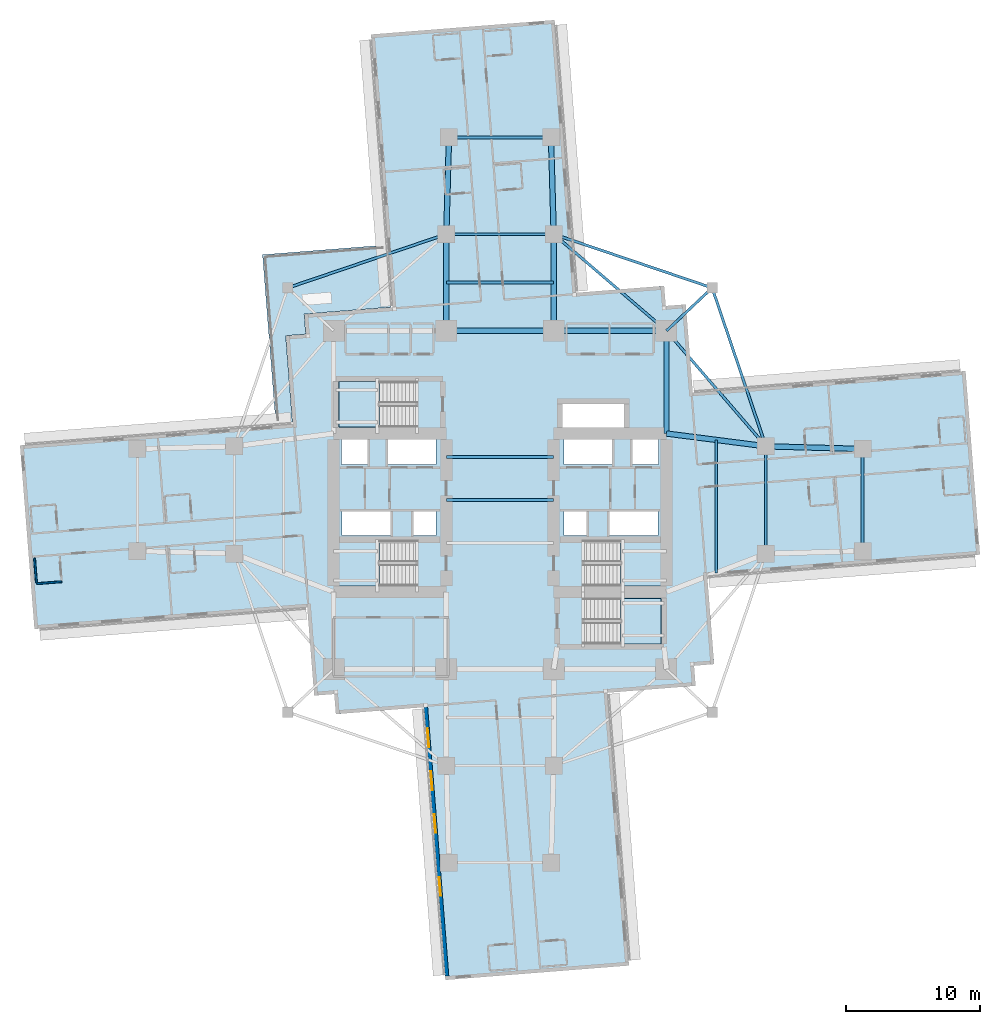
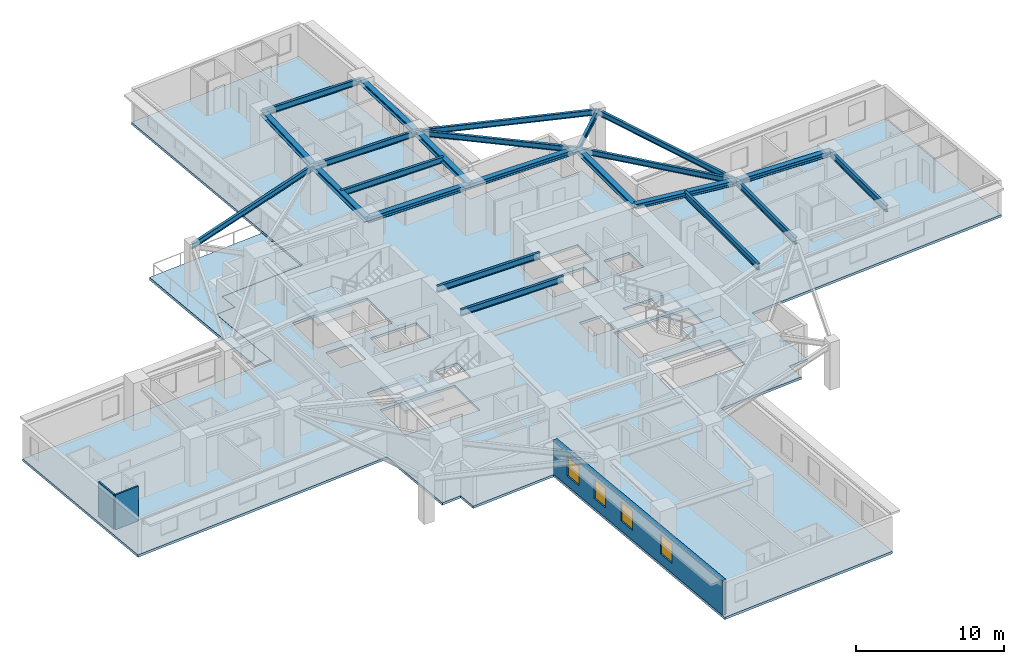
# One storey, part 2 of 13: 23 beams, 6 slabs, 4 windows, 3 walls, 4 openings, 4 elements without a shape of their own.
"""IFC4 building model written with IfcOpenShell, lengths in metres."""

from ifc_helpers import new_model, si_unit, direction, frame, frame_2d, origin, origin_2d, place, context, subcontext, project, spatial, polyline, rectangle, i_section, outline, extrude, material, layer, layer_set, material_profile, profile_set, type_object, element, fill, aggregate, save


model = new_model("IFC4")

# Units and contexts
model_context = context("Model", 3, precision=1e-05, world=origin(), true_north=direction((0.0, 1.0)))
body_context = subcontext(model_context, "Body", "Model", "MODEL_VIEW")
ifc_project = project(units=[si_unit("LENGTHUNIT", "METRE"), si_unit("AREAUNIT", "SQUARE_METRE"), si_unit("VOLUMEUNIT", "CUBIC_METRE"), si_unit("PLANEANGLEUNIT", "RADIAN"), si_unit("MASSUNIT", "GRAM", prefix="KILO")], contexts=[model_context])

# Site, building, storey
site_placement = place(None, origin())
site = spatial("IfcSite", under=ifc_project, at=site_placement, CompositionType="ELEMENT")
building_placement = place(site_placement, origin())
building = spatial("IfcBuilding", under=site, at=building_placement, Name="Qingluan Cross Belvedere", CompositionType="ELEMENT")
storey_placement = place(building_placement, frame((0.0, 0.0, 43.199951171875)))
storey = spatial("IfcBuildingStorey", under=building, at=storey_placement, Name="L11", CompositionType="ELEMENT", Elevation=43.199951171875)

# Beams
ifc_material_1 = material(Name="Steel Q420GJB", Category="steel")
ifc_material_profile_1 = material_profile(ifc_material_1, i_section(OverallWidth=0.199951171875, OverallDepth=0.449951171875, WebThickness=0.009033203125, FlangeThickness=0.013916015625, FilletRadius=0.01611328125, at=origin_2d()), Name="HN450x200x9x14")
ifc_profile_set_1 = profile_set([ifc_material_profile_1], Name="Steel Q420GJB")
beam_type_1 = type_object("IfcBeamType", Name="Steel_Beam_HN450x200x9x14", PredefinedType="JOIST", material=ifc_profile_set_1)
beam_1_placement = place(storey_placement, frame((12.39990234375, 12.60009765625, 3.425048828125), z_axis=(0.728219948308, 0.685343495546, 0.0), x_axis=(-0.685343495546, 0.728219948308, 0.0)))
element("IfcBeam", 1, at=beam_1_placement, inside=storey, type_object=beam_type_1, Name="Corner beam 1 L11-RNE", PredefinedType="JOIST", context=body_context, shape_type="SweptSolid", body=[
    extrude(i_section(OverallWidth=0.199951171875, OverallDepth=0.449951171875, WebThickness=0.009033203125, FlangeThickness=0.013916015625, FilletRadius=0.01611328125, at=origin_2d()), origin(), (0.0, 0.0, 1.0), 4.669189453125),
])
for number, where, z_axis, x_axis, name in (
    (2, (15.800048828125, 15.800048828125, 3.425048828125), (-0.947066283324, 0.321038089628, 0.0), (-0.321038089628, -0.947066283324, 0.0), "Corner beam 2 L11-RNE"),
    (3, (15.800048828125, 15.800048828125, 3.425048828125), (0.321038089628, -0.947066283324, 0.0), (0.947066283324, 0.321038089628, 0.0), "Corner beam 3 L11-RNE"),
):
    element("IfcBeam", number, at=place(storey_placement, frame(where, z_axis=z_axis, x_axis=x_axis)), inside=storey, type_object=beam_type_1, Name=name, PredefinedType="JOIST", context=body_context, shape_type="SweptSolid", body=[
        extrude(i_section(OverallWidth=0.199951171875, OverallDepth=0.449951171875, WebThickness=0.009033203125, FlangeThickness=0.013916015625, FilletRadius=0.01611328125, at=origin_2d()), origin(), (0.0, 0.0, 1.0), 12.45947265625),
    ])
beam_2_placement = place(storey_placement, frame((12.39990234375, 12.60009765625, 3.425048828125), z_axis=(0.652245077546, -0.75800815221, 0.0), x_axis=(0.75800815221, 0.652245077546, 0.0)))
element("IfcBeam", 4, at=beam_2_placement, inside=storey, type_object=beam_type_1, Name="Corner beam 4 L11-RNE", PredefinedType="JOIST", context=body_context, shape_type="SweptSolid", body=[
    extrude(i_section(OverallWidth=0.199951171875, OverallDepth=0.449951171875, WebThickness=0.009033203125, FlangeThickness=0.013916015625, FilletRadius=0.01611328125, at=origin_2d()), origin(), (0.0, 0.0, 1.0), 11.345703125),
])
beam_3_placement = place(storey_placement, frame((12.39990234375, 12.60009765625, 3.425048828125), z_axis=(-0.759255044656, 0.650793190779, 0.0), x_axis=(-0.650793190779, -0.759255044656, 0.0)))
element("IfcBeam", 5, at=beam_3_placement, inside=storey, type_object=beam_type_1, Name="Corner beam 5 L11-RNE", PredefinedType="JOIST", context=body_context, shape_type="SweptSolid", body=[
    extrude(i_section(OverallWidth=0.199951171875, OverallDepth=0.449951171875, WebThickness=0.009033203125, FlangeThickness=0.013916015625, FilletRadius=0.01611328125, at=origin_2d()), origin(), (0.0, 0.0, 1.0), 11.063232421875),
])
beam_4_placement = place(storey_placement, frame((-15.800048828125, 15.800048828125, 3.425048828125), z_axis=(0.947066283324, 0.321038089628, 0.0), x_axis=(-0.321038089628, 0.947066283324, 0.0)))
element("IfcBeam", 6, at=beam_4_placement, inside=storey, type_object=beam_type_1, Name="Corner beam 2 L11-RNW", PredefinedType="JOIST", context=body_context, shape_type="SweptSolid", body=[
    extrude(i_section(OverallWidth=0.199951171875, OverallDepth=0.449951171875, WebThickness=0.009033203125, FlangeThickness=0.013916015625, FilletRadius=0.01611328125, at=origin_2d()), origin(), (0.0, 0.0, 1.0), 12.45947265625),
])
ifc_material_2 = material(Name="Steel Q420GJB", Category="steel")
ifc_material_profile_2 = material_profile(ifc_material_2, i_section(OverallWidth=0.199951171875, OverallDepth=0.5, WebThickness=0.010009765625, FlangeThickness=0.01611328125, FilletRadius=0.01611328125, at=origin_2d()), Name="HN500x200x10x16")
ifc_profile_set_2 = profile_set([ifc_material_profile_2], Name="Steel Q420GJB")
beam_type_2 = type_object("IfcBeamType", Name="Steel_Beam_HN500x200x10x16", PredefinedType="JOIST", material=ifc_profile_set_2)
for number, where, z_axis, x_axis, name in (
    (7, (-4.0, 0.0, 3.400146484375), (1.0, 0.0, 0.0), (0.0, 1.0, 0.0), "Hall beam L11-CH2"),
    (8, (-4.0, 3.199951171875, 3.400146484375), (1.0, 0.0, 0.0), (0.0, 1.0, 0.0), "Hall beam L11-CH3"),
    (9, (19.800048828125, -4.0, 3.400146484375), (0.0, 1.0, 0.0), (-1.0, 0.0, 0.0), "Arm E tie L11"),
):
    element("IfcBeam", number, at=place(storey_placement, frame(where, z_axis=z_axis, x_axis=x_axis)), inside=storey, type_object=beam_type_2, Name=name, PredefinedType="JOIST", context=body_context, shape_type="SweptSolid", body=[
        extrude(i_section(OverallWidth=0.199951171875, OverallDepth=0.5, WebThickness=0.010009765625, FlangeThickness=0.01611328125, FilletRadius=0.01611328125, at=origin_2d()), origin(), (0.0, 0.0, 1.0), 8.0),
    ])
beam_5_placement = place(storey_placement, frame((16.10009765625, -5.425048828125, 3.400146484375), z_axis=(0.0, 1.0, 0.0), x_axis=(-1.0, 0.0, 0.0)))
element("IfcBeam", 10, at=beam_5_placement, inside=storey, type_object=beam_type_2, Name="Arm E beam L11", PredefinedType="JOIST", context=body_context, shape_type="SweptSolid", body=[
    extrude(i_section(OverallWidth=0.199951171875, OverallDepth=0.5, WebThickness=0.010009765625, FlangeThickness=0.01611328125, FilletRadius=0.01611328125, at=origin_2d()), origin(), (0.0, 0.0, 1.0), 9.900146484375),
])
beam_6_placement = place(storey_placement, frame((27.0, -3.800048828125, 3.400146484375), z_axis=(0.0, 1.0, 0.0), x_axis=(-1.0, 0.0, 0.0)))
element("IfcBeam", 11, at=beam_6_placement, inside=storey, type_object=beam_type_2, Name="Arm E tip transverse beam L11", PredefinedType="JOIST", context=body_context, shape_type="SweptSolid", body=[
    extrude(i_section(OverallWidth=0.199951171875, OverallDepth=0.5, WebThickness=0.010009765625, FlangeThickness=0.01611328125, FilletRadius=0.01611328125, at=origin_2d()), origin(), (0.0, 0.0, 1.0), 7.60009765625),
])
for number, where, z_axis, x_axis, name in (
    (12, (-4.0, 19.800048828125, 3.400146484375), (1.0, 0.0, 0.0), (0.0, 1.0, 0.0), "Arm N tie L11"),
    (13, (-4.0, 16.199951171875, 3.400146484375), (1.0, 0.0, 0.0), (0.0, 1.0, 0.0), "Arm N beam L11"),
):
    element("IfcBeam", number, at=place(storey_placement, frame(where, z_axis=z_axis, x_axis=x_axis)), inside=storey, type_object=beam_type_2, Name=name, PredefinedType="JOIST", context=body_context, shape_type="SweptSolid", body=[
        extrude(i_section(OverallWidth=0.199951171875, OverallDepth=0.5, WebThickness=0.010009765625, FlangeThickness=0.01611328125, FilletRadius=0.01611328125, at=origin_2d()), origin(), (0.0, 0.0, 1.0), 8.0),
    ])
beam_7_placement = place(storey_placement, frame((-3.800048828125, 27.0, 3.400146484375), z_axis=(1.0, 0.0, 0.0), x_axis=(0.0, 1.0, 0.0)))
element("IfcBeam", 14, at=beam_7_placement, inside=storey, type_object=beam_type_2, Name="Arm N tip transverse beam L11", PredefinedType="JOIST", context=body_context, shape_type="SweptSolid", body=[
    extrude(i_section(OverallWidth=0.199951171875, OverallDepth=0.5, WebThickness=0.010009765625, FlangeThickness=0.01611328125, FilletRadius=0.01611328125, at=origin_2d()), origin(), (0.0, 0.0, 1.0), 7.60009765625),
])
ifc_material_3 = material(Name="Steel Q420GJB", Category="steel")
ifc_material_profile_3 = material_profile(ifc_material_3, i_section(OverallWidth=0.39990234375, OverallDepth=0.39990234375, WebThickness=0.012939453125, FlangeThickness=0.02099609375, FilletRadius=0.02197265625, at=origin_2d()), Name="HW400x400x13x21")
ifc_profile_set_3 = profile_set([ifc_material_profile_3], Name="Steel Q420GJB")
beam_type_3 = type_object("IfcBeamType", Name="Steel_Girder_HW400x400x13x21", PredefinedType="USERDEFINED", material=ifc_profile_set_3)
beam_8_placement = place(storey_placement, frame((-4.0, 12.60009765625, 3.449951171875), z_axis=(1.0, 0.0, 0.0), x_axis=(0.0, 1.0, 0.0)))
element("IfcBeam", 15, at=beam_8_placement, inside=storey, type_object=beam_type_3, Name="Hub girder L11-HG-N2", ObjectType="GIRDER", PredefinedType="USERDEFINED", context=body_context, shape_type="SweptSolid", body=[
    extrude(i_section(OverallWidth=0.39990234375, OverallDepth=0.39990234375, WebThickness=0.012939453125, FlangeThickness=0.02099609375, FilletRadius=0.02197265625, at=origin_2d()), origin(), (0.0, 0.0, 1.0), 8.0),
])
beam_9_placement = place(storey_placement, frame((4.0, 12.60009765625, 3.449951171875), z_axis=(1.0, 0.0, 0.0), x_axis=(0.0, 1.0, 0.0)))
element("IfcBeam", 16, at=beam_9_placement, inside=storey, type_object=beam_type_3, Name="Hub girder L11-HG-N3", ObjectType="GIRDER", PredefinedType="USERDEFINED", context=body_context, shape_type="SweptSolid", body=[
    extrude(i_section(OverallWidth=0.39990234375, OverallDepth=0.39990234375, WebThickness=0.012939453125, FlangeThickness=0.02099609375, FilletRadius=0.02197265625, at=origin_2d()), origin(), (0.0, 0.0, 1.0), 8.39990234375),
])
beam_10_placement = place(storey_placement, frame((12.39990234375, 4.949951171875, 3.449951171875), z_axis=(0.0, 1.0, 0.0), x_axis=(-1.0, 0.0, 0.0)))
element("IfcBeam", 17, at=beam_10_placement, inside=storey, type_object=beam_type_3, Name="Hub girder L11-HG-E2", ObjectType="GIRDER", PredefinedType="USERDEFINED", context=body_context, shape_type="SweptSolid", body=[
    extrude(i_section(OverallWidth=0.39990234375, OverallDepth=0.39990234375, WebThickness=0.012939453125, FlangeThickness=0.02099609375, FilletRadius=0.02197265625, at=origin_2d()), origin(), (0.0, 0.0, 1.0), 7.650146484375),
])
beam_11_placement = place(storey_placement, frame((12.39990234375, 4.949951171875, 3.449951171875), z_axis=(0.991861120628, -0.12732445714, 0.0), x_axis=(0.12732445714, 0.991861120628, 0.0)))
element("IfcBeam", 18, at=beam_11_placement, inside=storey, type_object=beam_type_3, Name="Arm E radial girder B L11", ObjectType="GIRDER", PredefinedType="USERDEFINED", context=body_context, shape_type="SweptSolid", body=[
    extrude(i_section(OverallWidth=0.39990234375, OverallDepth=0.39990234375, WebThickness=0.012939453125, FlangeThickness=0.02099609375, FilletRadius=0.02197265625, at=origin_2d()), origin(), (0.0, 0.0, 1.0), 7.4609375),
])
beam_12_placement = place(storey_placement, frame((19.800048828125, 4.0, 3.449951171875), z_axis=(0.999614603568, -0.027760481514, 0.0), x_axis=(0.027760481514, 0.999614603568, 0.0)))
element("IfcBeam", 19, at=beam_12_placement, inside=storey, type_object=beam_type_3, Name="Arm E outer radial girder B L11", ObjectType="GIRDER", PredefinedType="USERDEFINED", context=body_context, shape_type="SweptSolid", body=[
    extrude(i_section(OverallWidth=0.39990234375, OverallDepth=0.39990234375, WebThickness=0.012939453125, FlangeThickness=0.02099609375, FilletRadius=0.02197265625, at=origin_2d()), origin(), (0.0, 0.0, 1.0), 7.20263671875),
])
for number, where, z_axis, x_axis, name in (
    (20, (-4.0, 12.60009765625, 3.449951171875), (0.0, 1.0, 0.0), (-1.0, 0.0, 0.0), "Arm N radial girder A L11"),
    (21, (4.0, 12.60009765625, 3.449951171875), (0.0, 1.0, 0.0), (-1.0, 0.0, 0.0), "Arm N radial girder B L11"),
):
    element("IfcBeam", number, at=place(storey_placement, frame(where, z_axis=z_axis, x_axis=x_axis)), inside=storey, type_object=beam_type_3, Name=name, ObjectType="GIRDER", PredefinedType="USERDEFINED", context=body_context, shape_type="SweptSolid", body=[
        extrude(i_section(OverallWidth=0.39990234375, OverallDepth=0.39990234375, WebThickness=0.012939453125, FlangeThickness=0.02099609375, FilletRadius=0.02197265625, at=origin_2d()), origin(), (0.0, 0.0, 1.0), 7.199951171875),
    ])
for number, where, z_axis, x_axis, name in (
    (22, (-4.0, 19.800048828125, 3.449951171875), (0.027760481514, 0.999614603568, 0.0), (-0.999614603568, 0.027760481514, 0.0), "Arm N outer radial girder A L11"),
    (23, (4.0, 19.800048828125, 3.449951171875), (-0.027760481514, 0.999614603568, 0.0), (-0.999614603568, -0.027760481514, 0.0), "Arm N outer radial girder B L11"),
):
    element("IfcBeam", number, at=place(storey_placement, frame(where, z_axis=z_axis, x_axis=x_axis)), inside=storey, type_object=beam_type_3, Name=name, ObjectType="GIRDER", PredefinedType="USERDEFINED", context=body_context, shape_type="SweptSolid", body=[
        extrude(i_section(OverallWidth=0.39990234375, OverallDepth=0.39990234375, WebThickness=0.012939453125, FlangeThickness=0.02099609375, FilletRadius=0.02197265625, at=origin_2d()), origin(), (0.0, 0.0, 1.0), 7.20263671875),
    ])

# Slab
ifc_material_4 = material(Name="Concrete C40", Category="concrete")
ifc_layer_1 = layer(ifc_material_4, 0.199951171875, Name="FloorSlab_200")
ifc_layer_set_1 = layer_set([ifc_layer_1], Name="Concrete C40")
slab_type_1 = type_object("IfcSlabType", Name="FloorSlab_200", PredefinedType="FLOOR", material=ifc_layer_set_1)
slab_1_placement = place(storey_placement, frame((0.0, 0.0, -0.199951171875)))
element("IfcSlab", 24, at=slab_1_placement, inside=storey, type_object=slab_type_1, Name="Structural floor slab L11", PredefinedType="FLOOR", context=body_context, shape_type="SweptSolid", body=[
    extrude(outline(polyline([(9.610107421875, -34.6728515625), (8.010986328125, -14.355712890625), (14.57080078125, -13.839599609375), (14.453125, -12.343994140625), (15.948486328125, -12.226318359375), (15.43212890625, -5.666748046875), (35.749267578125, -4.067626953125), (34.6728515625, 9.610107421875), (14.355712890625, 8.010986328125), (13.839599609375, 14.57080078125), (12.343994140625, 14.453125), (12.226318359375, 15.948486328125), (5.666748046875, 15.43212890625), (4.067626953125, 35.749267578125), (-9.610107421875, 34.6728515625), (-8.010986328125, 14.355712890625), (-14.57080078125, 13.839599609375), (-14.453125, 12.343994140625), (-15.948486328125, 12.226318359375), (-15.43212890625, 5.666748046875), (-35.749267578125, 4.067626953125), (-34.6728515625, -9.610107421875), (-14.355712890625, -8.010986328125), (-13.839599609375, -14.57080078125), (-12.343994140625, -14.453125), (-12.226318359375, -15.948486328125), (-5.666748046875, -15.43212890625), (-4.067626953125, -35.749267578125), (9.610107421875, -34.6728515625)]), holes=[polyline([(-12.0, -3.0), (-6.179931640625, -3.0), (-6.179931640625, -6.39990234375), (-12.0, -6.39990234375), (-12.0, -3.0)]), polyline([(6.179931640625, -3.0), (12.0, -3.0), (12.0, -6.39990234375), (6.179931640625, -6.39990234375), (6.179931640625, -3.0)]), polyline([(-12.0, 8.820068359375), (-6.179931640625, 8.820068359375), (-6.179931640625, 5.419921875), (-12.0, 5.419921875), (-12.0, 8.820068359375)]), polyline([(6.179931640625, -7.320068359375), (12.0, -7.320068359375), (12.0, -10.719970703125), (6.179931640625, -10.719970703125), (6.179931640625, -7.320068359375)]), polyline([(-11.800048828125, 4.64990234375), (-9.85009765625, 4.64990234375), (-9.85009765625, 2.64990234375), (-11.800048828125, 2.64990234375), (-11.800048828125, 4.64990234375)]), polyline([(-8.35009765625, 4.64990234375), (-4.75, 4.64990234375), (-4.75, 2.64990234375), (-8.35009765625, 2.64990234375), (-8.35009765625, 4.64990234375)]), polyline([(4.75, 4.64990234375), (8.35009765625, 4.64990234375), (8.35009765625, 2.64990234375), (4.75, 2.64990234375), (4.75, 4.64990234375)]), polyline([(9.85009765625, 4.64990234375), (11.800048828125, 4.64990234375), (11.800048828125, 2.64990234375), (9.85009765625, 2.64990234375), (9.85009765625, 4.64990234375)]), polyline([(-11.75, -0.840087890625), (-8.14990234375, -0.840087890625), (-8.14990234375, -2.659912109375), (-11.75, -2.659912109375), (-11.75, -0.840087890625)]), polyline([(-6.449951171875, -0.840087890625), (-4.75, -0.840087890625), (-4.75, -2.659912109375), (-6.449951171875, -2.659912109375), (-6.449951171875, -0.840087890625)]), polyline([(4.75, -0.840087890625), (6.449951171875, -0.840087890625), (6.449951171875, -2.659912109375), (4.75, -2.659912109375), (4.75, -0.840087890625)]), polyline([(8.14990234375, -0.840087890625), (11.75, -0.840087890625), (11.75, -2.659912109375), (8.14990234375, -2.659912109375), (8.14990234375, -0.840087890625)]), polyline([(4.64990234375, 7.14990234375), (9.25, 7.14990234375), (9.25, 5.14990234375), (4.64990234375, 5.14990234375), (4.64990234375, 7.14990234375)])]), origin(), (0.0, 0.0, 1.0), 0.199951171875),
])

# Stair, slab
ifc_material_5 = material(Name="Concrete C40", Category="concrete")
stair_type = type_object("IfcStairType", Name="CoreDoglegStair_1620", PredefinedType="HALF_TURN_STAIR", material=ifc_material_5)
stair_1_placement = place(storey_placement, origin())
stair_1 = element("IfcStair", 25, at=stair_1_placement, inside=storey, type_object=stair_type, Name="L11 ST1", PredefinedType="HALF_TURN_STAIR")
ifc_material_6 = material(Name="Concrete C40", Category="concrete")
ifc_layer_2 = layer(ifc_material_6, 0.179931640625, Name="StairLandingSlab_180")
ifc_layer_set_2 = layer_set([ifc_layer_2], Name="Concrete C40")
slab_type_2 = type_object("IfcSlabType", Name="StairLandingSlab_180", PredefinedType="LANDING", material=ifc_layer_set_2)
slab_2_placement = place(storey_placement, frame((0.0, 0.0, 1.75)))
slab_2 = element("IfcSlab", 26, at=slab_2_placement, type_object=slab_type_2, Name="ST1 landing 1", PredefinedType="LANDING", context=body_context, shape_type="SweptSolid", body=[
    extrude(outline(polyline([(-8.97998046875, -3.0), (-12.0, -3.0), (-12.0, -6.39990234375), (-8.97998046875, -6.39990234375), (-8.97998046875, -3.0)])), origin(), (0.0, 0.0, 1.0), 0.199951171875),
])
aggregate(stair_1, [slab_2])

stair_2_placement = place(storey_placement, origin())
stair_2 = element("IfcStair", 27, at=stair_2_placement, inside=storey, type_object=stair_type, Name="L11 ST2", PredefinedType="HALF_TURN_STAIR")
slab_3_placement = place(storey_placement, frame((0.0, 0.0, 1.75)))
slab_3 = element("IfcSlab", 28, at=slab_3_placement, type_object=slab_type_2, Name="ST2 landing 1", PredefinedType="LANDING", context=body_context, shape_type="SweptSolid", body=[
    extrude(outline(polyline([(8.97998046875, -6.39990234375), (12.0, -6.39990234375), (12.0, -3.0), (8.97998046875, -3.0), (8.97998046875, -6.39990234375)])), origin(), (0.0, 0.0, 1.0), 0.199951171875),
])
aggregate(stair_2, [slab_3])

stair_3_placement = place(storey_placement, origin())
stair_3 = element("IfcStair", 29, at=stair_3_placement, inside=storey, type_object=stair_type, Name="L11 ST3", PredefinedType="HALF_TURN_STAIR")
slab_4_placement = place(storey_placement, frame((0.0, 0.0, 1.75)))
slab_4 = element("IfcSlab", 30, at=slab_4_placement, type_object=slab_type_2, Name="ST3 landing 1", PredefinedType="LANDING", context=body_context, shape_type="SweptSolid", body=[
    extrude(outline(polyline([(-8.97998046875, 8.820068359375), (-12.0, 8.820068359375), (-12.0, 5.419921875), (-8.97998046875, 5.419921875), (-8.97998046875, 8.820068359375)])), origin(), (0.0, 0.0, 1.0), 0.199951171875),
])
aggregate(stair_3, [slab_4])

stair_4_placement = place(storey_placement, origin())
stair_4 = element("IfcStair", 31, at=stair_4_placement, inside=storey, type_object=stair_type, Name="L11 ST4", PredefinedType="HALF_TURN_STAIR")
slab_5_placement = place(storey_placement, frame((0.0, 0.0, 1.75)))
slab_5 = element("IfcSlab", 32, at=slab_5_placement, type_object=slab_type_2, Name="ST4 landing 1", PredefinedType="LANDING", context=body_context, shape_type="SweptSolid", body=[
    extrude(outline(polyline([(8.97998046875, -10.719970703125), (12.0, -10.719970703125), (12.0, -7.320068359375), (8.97998046875, -7.320068359375), (8.97998046875, -10.719970703125)])), origin(), (0.0, 0.0, 1.0), 0.199951171875),
])
aggregate(stair_4, [slab_5])

# Slab
ifc_material_7 = material(Name="Concrete C40", Category="concrete")
ifc_layer_3 = layer(ifc_material_7, 0.219970703125, Name="TerraceSlab_220")
ifc_layer_set_3 = layer_set([ifc_layer_3], Name="Concrete C40")
slab_type_3 = type_object("IfcSlabType", Name="TerraceSlab_220", PredefinedType="FLOOR", material=ifc_layer_set_3)
slab_6_placement = place(storey_placement, frame((0.0, 0.0, -0.219970703125)))
element("IfcSlab", 33, at=slab_6_placement, inside=storey, type_object=slab_type_3, Name="Spiralling winter-garden terrace slab L11", PredefinedType="FLOOR", context=body_context, shape_type="SweptSolid", body=[
    extrude(outline(polyline([(-15.453125, 5.805419921875), (-15.957275390625, 12.231201171875), (-14.4638671875, 12.353271484375), (-14.580810546875, 13.838623046875), (-14.573486328125, 13.84912109375), (-8.1513671875, 14.354736328125), (-8.51611328125, 18.990478515625), (-17.68798828125, 18.2685546875), (-16.69921875, 5.70751953125), (-15.453125, 5.805419921875)])), origin(), (0.0, 0.0, 1.0), 0.219970703125),
])

# Walls
ifc_material_8 = material(Name="Moisture-resistant gypsum board lining")
ifc_layer_4 = layer(ifc_material_8, 0.1201171875, Name="EnsuiteWetPartition_120")
ifc_layer_set_4 = layer_set([ifc_layer_4], Name="Moisture-resistant gypsum board lining")
wall_type_1 = type_object("IfcWallType", Name="EnsuiteWetPartition_120", PredefinedType="PARTITIONING", material=ifc_layer_set_4)
wall_1_placement = place(storey_placement, frame((-34.5224609375, -6.16748046875, 0.0), z_axis=(0.0, 0.0, 1.0), x_axis=(-0.078481444107, 0.996915574626, 0.0)))
element("IfcWall", 34, at=wall_1_placement, inside=storey, type_object=wall_type_1, Name="Partition L11:W:bw1_1", PredefinedType="PARTITIONING", context=body_context, shape_type="SweptSolid", body=[
    extrude(rectangle(XDim=1.81982421875, YDim=0.1201171875, at=frame_2d((0.909912109375, 0.0))), origin(), (0.0, 0.0, 1.0), 2.85009765625),
])
wall_2_placement = place(storey_placement, frame((-32.643310546875, -6.0849609375, 0.0), z_axis=(0.0, 0.0, 1.0), x_axis=(-0.99691849475, -0.078444342213, 0.0)))
element("IfcWall", 35, at=wall_2_placement, inside=storey, type_object=wall_type_1, Name="Partition L11:W:bc1_1", PredefinedType="PARTITIONING", context=body_context, shape_type="SweptSolid", body=[
    extrude(rectangle(XDim=1.8798828125, YDim=0.1201171875, at=frame_2d((0.93994140625, 0.0))), origin(), (0.0, 0.0, 1.0), 2.85009765625),
])

# Wall, openings, windows
ifc_material_9 = material(Name="Precast concrete C45", Category="concrete")
ifc_layer_5 = layer(ifc_material_9, 0.280029296875, Name="PrecastFacadeWall_280")
ifc_layer_set_5 = layer_set([ifc_layer_5], Name="Precast concrete C45")
wall_type_2 = type_object("IfcWallType", Name="PrecastFacadeWall_280", PredefinedType="STANDARD", material=ifc_layer_set_5)
wall_3_placement = place(storey_placement, frame((-5.527099609375, -15.421142578125, 0.0), z_axis=(0.0, 0.0, 1.0), x_axis=(0.078452802979, -0.996917828963, 0.0)))
wall_3 = element("IfcWall", 36, at=wall_3_placement, inside=storey, type_object=wall_type_2, Name="Facade wall L11-SA", PredefinedType="STANDARD", context=body_context, shape_type="SweptSolid", body=[
    extrude(rectangle(XDim=20.10009765625, YDim=0.280029296875, at=frame_2d((10.050048828125, 0.0))), origin(), (0.0, 0.0, 1.0), 2.860107421875),
])
opening_1_placement = place(wall_3_placement, frame((1.60009765625, 0.0, 0.800048828125)))
opening_1 = element("IfcOpeningElement", 37, at=opening_1_placement, cuts=wall_3, Name="Opening W-01", PredefinedType="OPENING", context=body_context, shape_type="SweptSolid", body=[
    extrude(rectangle(XDim=1.39990234375, YDim=1.60009765625, at=frame_2d((0.699951171875, 0.800048828125))), frame((0.0, 0.14990234375, 0.0), z_axis=(0.0, -1.0, 0.0), x_axis=(1.0, 0.0, 0.0)), (0.0, 0.0, 1.0), 0.300048828125),
])
opening_2_placement = place(wall_3_placement, frame((4.800048828125, 0.0, 0.800048828125)))
opening_2 = element("IfcOpeningElement", 38, at=opening_2_placement, cuts=wall_3, Name="Opening W-01", PredefinedType="OPENING", context=body_context, shape_type="SweptSolid", body=[
    extrude(rectangle(XDim=1.39990234375, YDim=1.60009765625, at=frame_2d((0.699951171875, 0.800048828125))), frame((0.0, 0.14990234375, 0.0), z_axis=(0.0, -1.0, 0.0), x_axis=(1.0, 0.0, 0.0)), (0.0, 0.0, 1.0), 0.300048828125),
])
opening_3_placement = place(wall_3_placement, frame((8.0, 0.0, 0.800048828125)))
opening_3 = element("IfcOpeningElement", 39, at=opening_3_placement, cuts=wall_3, Name="Opening W-01", PredefinedType="OPENING", context=body_context, shape_type="SweptSolid", body=[
    extrude(rectangle(XDim=1.39990234375, YDim=1.60009765625, at=frame_2d((0.699951171875, 0.800048828125))), frame((0.0, 0.14990234375, 0.0), z_axis=(0.0, -1.0, 0.0), x_axis=(1.0, 0.0, 0.0)), (0.0, 0.0, 1.0), 0.300048828125),
])
opening_4_placement = place(wall_3_placement, frame((12.699951171875, 0.0, 0.800048828125)))
opening_4 = element("IfcOpeningElement", 40, at=opening_4_placement, cuts=wall_3, Name="Opening W-01", PredefinedType="OPENING", context=body_context, shape_type="SweptSolid", body=[
    extrude(rectangle(XDim=1.39990234375, YDim=1.60009765625, at=frame_2d((0.699951171875, 0.800048828125))), frame((0.0, 0.14990234375, 0.0), z_axis=(0.0, -1.0, 0.0), x_axis=(1.0, 0.0, 0.0)), (0.0, 0.0, 1.0), 0.300048828125),
])
ifc_material_10 = material(Name="Thermally broken triple Low-E glass in aluminium frame", Category="aluminium")
window_type = type_object("IfcWindowType", Name="TriRibbonWin_1400x1600", PartitioningType="SINGLE_PANEL", PredefinedType="WINDOW", material=ifc_material_10)
window_1_placement = place(opening_1_placement, origin())
window_1 = element("IfcWindow", 41, at=window_1_placement, inside=storey, type_object=window_type, Name="Ribbon window L11-SA-1", OverallHeight=1.60009765625, OverallWidth=1.39990234375, PartitioningType="SINGLE_PANEL", PredefinedType="WINDOW", context=body_context, shape_type="SweptSolid", body=[
    extrude(rectangle(XDim=1.39990234375, YDim=1.60009765625, at=frame_2d((0.699951171875, 0.800048828125))), frame((0.0, 0.030029296875, 0.0), z_axis=(0.0, -1.0, 0.0), x_axis=(1.0, 0.0, 0.0)), (0.0, 0.0, 1.0), 0.06005859375),
])
fill(opening_1, window_1)
window_2_placement = place(opening_2_placement, origin())
window_2 = element("IfcWindow", 42, at=window_2_placement, inside=storey, type_object=window_type, Name="Ribbon window L11-SA-2", OverallHeight=1.60009765625, OverallWidth=1.39990234375, PartitioningType="SINGLE_PANEL", PredefinedType="WINDOW", context=body_context, shape_type="SweptSolid", body=[
    extrude(rectangle(XDim=1.39990234375, YDim=1.60009765625, at=frame_2d((0.699951171875, 0.800048828125))), frame((0.0, 0.030029296875, 0.0), z_axis=(0.0, -1.0, 0.0), x_axis=(1.0, 0.0, 0.0)), (0.0, 0.0, 1.0), 0.06005859375),
])
fill(opening_2, window_2)
window_3_placement = place(opening_3_placement, origin())
window_3 = element("IfcWindow", 43, at=window_3_placement, inside=storey, type_object=window_type, Name="Ribbon window L11-SA-3", OverallHeight=1.60009765625, OverallWidth=1.39990234375, PartitioningType="SINGLE_PANEL", PredefinedType="WINDOW", context=body_context, shape_type="SweptSolid", body=[
    extrude(rectangle(XDim=1.39990234375, YDim=1.60009765625, at=frame_2d((0.699951171875, 0.800048828125))), frame((0.0, 0.030029296875, 0.0), z_axis=(0.0, -1.0, 0.0), x_axis=(1.0, 0.0, 0.0)), (0.0, 0.0, 1.0), 0.06005859375),
])
fill(opening_3, window_3)
window_4_placement = place(opening_4_placement, origin())
window_4 = element("IfcWindow", 44, at=window_4_placement, inside=storey, type_object=window_type, Name="Ribbon window L11-SA-4", OverallHeight=1.60009765625, OverallWidth=1.39990234375, PartitioningType="SINGLE_PANEL", PredefinedType="WINDOW", context=body_context, shape_type="SweptSolid", body=[
    extrude(rectangle(XDim=1.39990234375, YDim=1.60009765625, at=frame_2d((0.699951171875, 0.800048828125))), frame((0.0, 0.030029296875, 0.0), z_axis=(0.0, -1.0, 0.0), x_axis=(1.0, 0.0, 0.0)), (0.0, 0.0, 1.0), 0.06005859375),
])
fill(opening_4, window_4)

save(model, "model.ifc")
